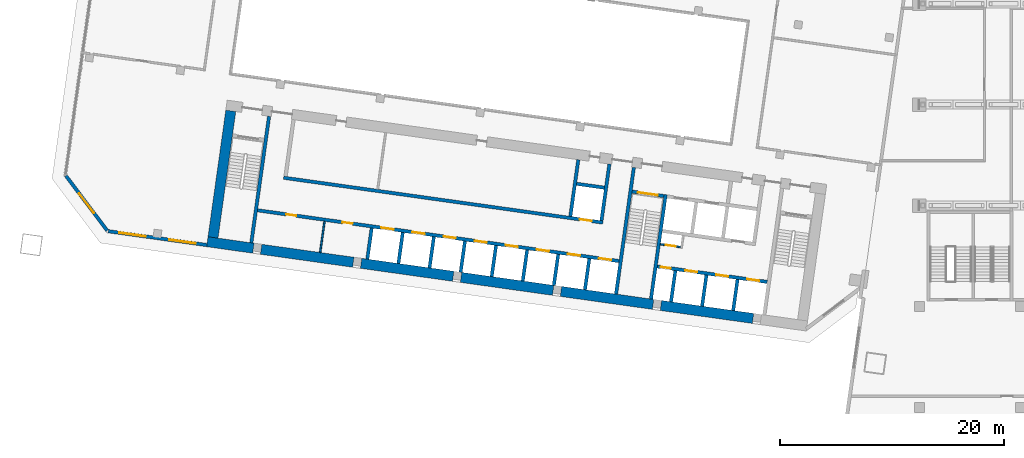
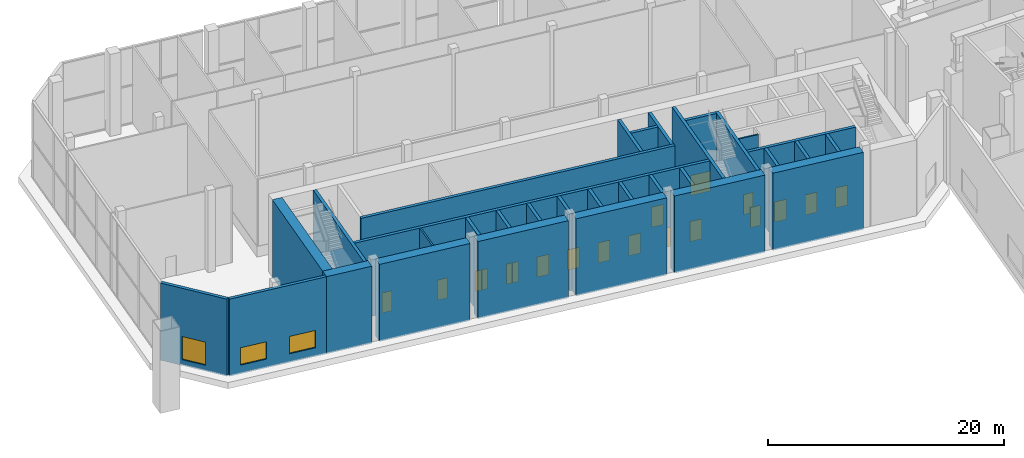
# One storey, part 17 of 31: 32 walls, 17 doors, 3 windows, 20 openings.
"""IFC4 building model written with IfcOpenShell, lengths in metres."""

from ifc_helpers import new_model, si_unit, direction, frame, frame_2d, origin, place, context, subcontext, project, spatial, rectangle, extrude, material, layer, layer_set, type_object, element, fill, save


model = new_model("IFC4")

# Units and contexts
model_context = context("Model", 3, precision=1e-05, world=origin(), true_north=direction((0.0, 1.0)))
body_context = subcontext(model_context, "Body", "Model", "MODEL_VIEW")
ifc_project = project(units=[si_unit("LENGTHUNIT", "METRE"), si_unit("AREAUNIT", "SQUARE_METRE"), si_unit("VOLUMEUNIT", "CUBIC_METRE"), si_unit("PLANEANGLEUNIT", "RADIAN"), si_unit("MASSUNIT", "GRAM", prefix="KILO")], contexts=[model_context])

# Site, building, storey
site_placement = place(None, origin())
site = spatial("IfcSite", under=ifc_project, at=site_placement, CompositionType="ELEMENT")
building_placement = place(site_placement, origin())
building = spatial("IfcBuilding", under=site, at=building_placement, Name="Mirante Cascada Hotel Towers", CompositionType="ELEMENT")
storey_placement = place(building_placement, frame((0.0, 0.0, 9.0)))
storey = spatial("IfcBuildingStorey", under=building, at=storey_placement, Name="L01", CompositionType="ELEMENT", Elevation=9.0)

# Wall, opening, door
ifc_material_1 = material(Name="Masonry block", Category="masonry")
ifc_layer_1 = layer(ifc_material_1, 0.15)
ifc_layer_set_1 = layer_set([ifc_layer_1], Name="Core room partition 150 block EI 30")
wall_type_1 = type_object("IfcWallType", Name="Core room partition 150 block EI 30", PredefinedType="PARTITIONING", material=ifc_layer_set_1)
wall_1_placement = place(storey_placement, frame((-48.2933, -12.7083, 0.0), z_axis=(0.0, 0.0, 1.0), x_axis=(-0.990268, 0.1391734, 0.0)))
wall_1 = element("IfcWall", 1, at=wall_1_placement, inside=storey, type_object=wall_type_1, Name="Core wall partition T1 L01 3", PredefinedType="PARTITIONING", context=body_context, shape_type="SweptSolid", body=[
    extrude(rectangle(XDim=1.8251, YDim=0.15, at=frame_2d((0.9126, 0.0))), origin(), (0.0, 0.0, 1.0), 8.0),
])
opening_1_placement = place(wall_1_placement, frame((0.4625, 0.0, 0.0)))
opening_1 = element("IfcOpeningElement", 2, at=opening_1_placement, cuts=wall_1, Name="Opening D1-01-C26", PredefinedType="OPENING", context=body_context, shape_type="SweptSolid", body=[
    extrude(rectangle(XDim=0.9, YDim=2.1, at=frame_2d((0.45, 1.05))), frame((0.0, 0.075, 0.0), z_axis=(0.0, -1.0, 0.0), x_axis=(1.0, 0.0, 0.0)), (0.0, 0.0, 1.0), 0.15),
])
ifc_material_2 = material(Name="Hollow metal fire door leaf")
door_type_1 = type_object("IfcDoorType", Name="Fire door 900x2100 FD60", OperationType="NOTDEFINED", PredefinedType="DOOR", material=ifc_material_2)
door_1_placement = place(opening_1_placement, origin())
door_1 = element("IfcDoor", 3, at=door_1_placement, inside=storey, type_object=door_type_1, Name="Riser door T1 L01 26", OperationType="SINGLE_SWING_RIGHT", OverallHeight=2.1, OverallWidth=0.9, PredefinedType="DOOR", context=body_context, shape_type="SweptSolid", body=[
    extrude(rectangle(XDim=0.9, YDim=2.1, at=frame_2d((0.45, 1.05))), frame((0.0, 0.025, 0.0), z_axis=(0.0, -1.0, 0.0), x_axis=(1.0, 0.0, 0.0)), (0.0, 0.0, 1.0), 0.05),
])
fill(opening_1, door_1)

# Wall
wall_2_placement = place(storey_placement, frame((-80.448, -13.1879, 0.0), z_axis=(0.0, 0.0, 1.0), x_axis=(0.139176, 0.9902677, 0.0)))
element("IfcWall", 4, at=wall_2_placement, inside=storey, type_object=wall_type_1, Name="Core wall partition T1 L01 4", PredefinedType="PARTITIONING", context=body_context, shape_type="SweptSolid", body=[
    extrude(rectangle(XDim=2.8001, YDim=0.15, at=frame_2d((1.4, 0.0))), origin(), (0.0, 0.0, 1.0), 8.0),
])

# Wall, openings, windows
ifc_material_3 = material(Name="Precast concrete C40/50", Category="concrete")
ifc_layer_2 = layer(ifc_material_3, 0.3)
ifc_layer_set_2 = layer_set([ifc_layer_2], Name="Precast concrete C40/50 cladding wall 300")
wall_type_2 = type_object("IfcWallType", Name="Precast concrete C40/50 cladding wall 300", PredefinedType="STANDARD", material=ifc_layer_set_2)
wall_3_placement = place(storey_placement, frame((-90.5541, -12.5249, 0.0), z_axis=(0.0, 0.0, 1.0), x_axis=(-0.9902676, 0.1391765, 0.0)))
wall_3 = element("IfcWall", 5, at=wall_3_placement, inside=storey, type_object=wall_type_2, Name="Rear cladding wall T1 L01 1", PredefinedType="STANDARD", context=body_context, shape_type="SweptSolid", body=[
    extrude(rectangle(XDim=8.8758, YDim=0.3, at=frame_2d((4.4379, 0.0))), origin(), (0.0, 0.0, 1.0), 8.0),
])
opening_2_placement = place(wall_3_placement, frame((1.0012, 0.0, 0.9)))
opening_2 = element("IfcOpeningElement", 6, at=opening_2_placement, cuts=wall_3, Name="Opening W1-01-01", PredefinedType="OPENING", context=body_context, shape_type="SweptSolid", body=[
    extrude(rectangle(XDim=2.4, YDim=1.8, at=frame_2d((1.2, 0.9))), frame((0.0, 0.15, 0.0), z_axis=(0.0, -1.0, 0.0), x_axis=(1.0, 0.0, 0.0)), (0.0, 0.0, 1.0), 0.3),
])
opening_3_placement = place(wall_3_placement, frame((5.4923, 0.0, 0.9)))
opening_3 = element("IfcOpeningElement", 7, at=opening_3_placement, cuts=wall_3, Name="Opening W1-01-02", PredefinedType="OPENING", context=body_context, shape_type="SweptSolid", body=[
    extrude(rectangle(XDim=2.4, YDim=1.8, at=frame_2d((1.2, 0.9))), frame((0.0, 0.15, 0.0), z_axis=(0.0, -1.0, 0.0), x_axis=(1.0, 0.0, 0.0)), (0.0, 0.0, 1.0), 0.3),
])
ifc_material_4 = material(Name="Aluminium frame with clear double glazing", Category="aluminium")
window_type_1 = type_object("IfcWindowType", Name="Punched window 2400x1800", PartitioningType="DOUBLE_PANEL_VERTICAL", PredefinedType="WINDOW", material=ifc_material_4)
window_1_placement = place(opening_2_placement, origin())
window_1 = element("IfcWindow", 8, at=window_1_placement, inside=storey, type_object=window_type_1, Name="Window W1-01-01", OverallHeight=1.8, OverallWidth=2.4, PartitioningType="SINGLE_PANEL", PredefinedType="WINDOW", context=body_context, shape_type="SweptSolid", body=[
    extrude(rectangle(XDim=2.4, YDim=1.8, at=frame_2d((1.2, 0.9))), frame((0.0, 0.03, 0.0), z_axis=(0.0, -1.0, 0.0), x_axis=(1.0, 0.0, 0.0)), (0.0, 0.0, 1.0), 0.06),
])
fill(opening_2, window_1)
window_2_placement = place(opening_3_placement, origin())
window_2 = element("IfcWindow", 9, at=window_2_placement, inside=storey, type_object=window_type_1, Name="Window W1-01-02", OverallHeight=1.8, OverallWidth=2.4, PartitioningType="SINGLE_PANEL", PredefinedType="WINDOW", context=body_context, shape_type="SweptSolid", body=[
    extrude(rectangle(XDim=2.4, YDim=1.8, at=frame_2d((1.2, 0.9))), frame((0.0, 0.03, 0.0), z_axis=(0.0, -1.0, 0.0), x_axis=(1.0, 0.0, 0.0)), (0.0, 0.0, 1.0), 0.06),
])
fill(opening_3, window_2)

# Wall, opening, window
wall_4_placement = place(storey_placement, frame((-99.4424, -11.2313, 0.0), z_axis=(0.0, 0.0, 1.0), x_axis=(-0.6018194, 0.7986322, 0.0)))
wall_4 = element("IfcWall", 10, at=wall_4_placement, inside=storey, type_object=wall_type_2, Name="Corner cladding wall T1 L01 rear outer", PredefinedType="STANDARD", context=body_context, shape_type="SweptSolid", body=[
    extrude(rectangle(XDim=6.1155, YDim=0.3, at=frame_2d((3.0578, 0.0))), origin(), (0.0, 0.0, 1.0), 8.0),
])
opening_4_placement = place(wall_4_placement, frame((1.9576, 0.0, 0.6)))
opening_4 = element("IfcOpeningElement", 11, at=opening_4_placement, cuts=wall_4, Name="Opening W1-01-03", PredefinedType="OPENING", context=body_context, shape_type="SweptSolid", body=[
    extrude(rectangle(XDim=2.2, YDim=2.4, at=frame_2d((1.1, 1.2))), frame((0.0, 0.15, 0.0), z_axis=(0.0, -1.0, 0.0), x_axis=(1.0, 0.0, 0.0)), (0.0, 0.0, 1.0), 0.3),
])
ifc_material_5 = material(Name="Aluminium frame with clear double glazing", Category="aluminium")
window_type_2 = type_object("IfcWindowType", Name="Corner suite window 2200x2400", PartitioningType="DOUBLE_PANEL_VERTICAL", PredefinedType="WINDOW", material=ifc_material_5)
window_3_placement = place(opening_4_placement, origin())
window_3 = element("IfcWindow", 12, at=window_3_placement, inside=storey, type_object=window_type_2, Name="Window W1-01-03", OverallHeight=2.4, OverallWidth=2.2, PartitioningType="SINGLE_PANEL", PredefinedType="WINDOW", context=body_context, shape_type="SweptSolid", body=[
    extrude(rectangle(XDim=2.2, YDim=2.4, at=frame_2d((1.1, 1.2))), frame((0.0, 0.03, 0.0), z_axis=(0.0, -1.0, 0.0), x_axis=(1.0, 0.0, 0.0)), (0.0, 0.0, 1.0), 0.06),
])
fill(opening_4, window_3)

# Walls
ifc_material_6 = material(Name="Concrete C50/60", Category="concrete")
ifc_layer_3 = layer(ifc_material_6, 0.3)
ifc_layer_set_3 = layer_set([ifc_layer_3], Name="RC core wall 300 C50/60")
wall_type_3 = type_object("IfcWallType", Name="RC core wall 300 C50/60", PredefinedType="SHEAR", material=ifc_layer_set_3)
wall_5_placement = place(storey_placement, frame((-50.938, -17.3352, 0.0), z_axis=(0.0, 0.0, 1.0), x_axis=(0.1391706, 0.9902684, 0.0)))
element("IfcWall", 13, at=wall_5_placement, inside=storey, type_object=wall_type_3, Name="Core wall T1:L01:6", PredefinedType="SHEAR", context=body_context, shape_type="SweptSolid", body=[
    extrude(rectangle(XDim=9.4, YDim=0.3, at=frame_2d((4.7, 0.0))), origin(), (0.0, 0.0, 1.0), 8.0),
])
wall_6_placement = place(storey_placement, frame((-54.0574, -16.8968, 0.0), z_axis=(0.0, 0.0, 1.0), x_axis=(0.1391761, 0.9902677, 0.0)))
element("IfcWall", 14, at=wall_6_placement, inside=storey, type_object=wall_type_3, Name="Core wall T1:L01:7", PredefinedType="SHEAR", context=body_context, shape_type="SweptSolid", body=[
    extrude(rectangle(XDim=11.3999, YDim=0.3, at=frame_2d((5.7, 0.0))), origin(), (0.0, 0.0, 1.0), 8.0),
])
wall_7_placement = place(storey_placement, frame((-86.5877, -12.325, 0.0), z_axis=(0.0, 0.0, 1.0), x_axis=(0.1391749, 0.9902678, 0.0)))
element("IfcWall", 15, at=wall_7_placement, inside=storey, type_object=wall_type_3, Name="Core wall T1:L01:8", PredefinedType="SHEAR", context=body_context, shape_type="SweptSolid", body=[
    extrude(rectangle(XDim=11.4, YDim=0.3, at=frame_2d((5.7, 0.0))), origin(), (0.0, 0.0, 1.0), 8.0),
])

# Wall, opening, door
wall_8_placement = place(storey_placement, frame((-49.7992, -8.1544, 0.0), z_axis=(0.0, 0.0, 1.0), x_axis=(-0.9902656, 0.1391909, 0.0)))
wall_8 = element("IfcWall", 16, at=wall_8_placement, inside=storey, type_object=wall_type_3, Name="Core wall T1:L01:10", PredefinedType="SHEAR", context=body_context, shape_type="SweptSolid", body=[
    extrude(rectangle(XDim=2.85, YDim=0.3, at=frame_2d((1.425, 0.0))), origin(), (0.0, 0.0, 1.0), 8.0),
])
opening_5_placement = place(wall_8_placement, frame((0.525, 0.0, 0.0)))
opening_5 = element("IfcOpeningElement", 17, at=opening_5_placement, cuts=wall_8, Name="Opening D1-01-C18", PredefinedType="OPENING", context=body_context, shape_type="SweptSolid", body=[
    extrude(rectangle(XDim=1.8, YDim=2.1, at=frame_2d((0.9, 1.05))), frame((0.0, 0.15, 0.0), z_axis=(0.0, -1.0, 0.0), x_axis=(1.0, 0.0, 0.0)), (0.0, 0.0, 1.0), 0.3),
])
ifc_material_7 = material(Name="Hollow metal fire door leaf")
door_type_2 = type_object("IfcDoorType", Name="Double fire door 1800x2100 FD60", OperationType="DOUBLE_DOOR_SINGLE_SWING", PredefinedType="DOOR", material=ifc_material_7)
door_2_placement = place(opening_5_placement, origin())
door_2 = element("IfcDoor", 18, at=door_2_placement, inside=storey, type_object=door_type_2, Name="Stair door T1 L01 18", OperationType="DOUBLE_DOOR_SINGLE_SWING", OverallHeight=2.1, OverallWidth=1.8, PredefinedType="DOOR", context=body_context, shape_type="SweptSolid", body=[
    extrude(rectangle(XDim=0.895, YDim=2.1, at=frame_2d((0.4475, 1.05))), frame((0.0, 0.025, 0.0), z_axis=(0.0, -1.0, 0.0), x_axis=(1.0, 0.0, 0.0)), (0.0, 0.0, 1.0), 0.05),
    extrude(rectangle(XDim=0.895, YDim=2.1, at=frame_2d((1.3525, 1.05))), frame((0.0, 0.025, 0.0), z_axis=(0.0, -1.0, 0.0), x_axis=(1.0, 0.0, 0.0)), (0.0, 0.0, 1.0), 0.05),
])
fill(opening_5, door_2)

# Wall, openings, doors
wall_9_placement = place(storey_placement, frame((-40.5753, -15.8126, 0.0), z_axis=(0.0, 0.0, 1.0), x_axis=(-0.9902682, 0.1391725, 0.0)))
wall_9 = element("IfcWall", 19, at=wall_9_placement, inside=storey, type_object=wall_type_3, Name="Core wall T1:L01:12", PredefinedType="SHEAR", context=body_context, shape_type="SweptSolid", body=[
    extrude(rectangle(XDim=9.8999, YDim=0.3, at=frame_2d((4.95, 0.0))), origin(), (0.0, 0.0, 1.0), 8.0),
])
opening_6_placement = place(wall_9_placement, frame((0.7, 0.0, 0.0)))
opening_6 = element("IfcOpeningElement", 20, at=opening_6_placement, cuts=wall_9, Name="Opening LD", PredefinedType="OPENING", context=body_context, shape_type="SweptSolid", body=[
    extrude(rectangle(XDim=1.1, YDim=2.1, at=frame_2d((0.55, 1.05))), frame((0.0, 0.15, 0.0), z_axis=(0.0, -1.0, 0.0), x_axis=(1.0, 0.0, 0.0)), (0.0, 0.0, 1.0), 0.3),
])
opening_7_placement = place(wall_9_placement, frame((3.5, 0.0, 0.0)))
opening_7 = element("IfcOpeningElement", 21, at=opening_7_placement, cuts=wall_9, Name="Opening LD", PredefinedType="OPENING", context=body_context, shape_type="SweptSolid", body=[
    extrude(rectangle(XDim=1.1, YDim=2.1, at=frame_2d((0.55, 1.05))), frame((0.0, 0.15, 0.0), z_axis=(0.0, -1.0, 0.0), x_axis=(1.0, 0.0, 0.0)), (0.0, 0.0, 1.0), 0.3),
])
opening_8_placement = place(wall_9_placement, frame((6.3, 0.0, 0.0)))
opening_8 = element("IfcOpeningElement", 22, at=opening_8_placement, cuts=wall_9, Name="Opening LD", PredefinedType="OPENING", context=body_context, shape_type="SweptSolid", body=[
    extrude(rectangle(XDim=1.1, YDim=2.1, at=frame_2d((0.55, 1.05))), frame((0.0, 0.15, 0.0), z_axis=(0.0, -1.0, 0.0), x_axis=(1.0, 0.0, 0.0)), (0.0, 0.0, 1.0), 0.3),
])
opening_9_placement = place(wall_9_placement, frame((8.7, 0.0, 0.0)))
opening_9 = element("IfcOpeningElement", 23, at=opening_9_placement, cuts=wall_9, Name="Opening D1-01-C25", PredefinedType="OPENING", context=body_context, shape_type="SweptSolid", body=[
    extrude(rectangle(XDim=0.9, YDim=2.1, at=frame_2d((0.45, 1.05))), frame((0.0, 0.15, 0.0), z_axis=(0.0, -1.0, 0.0), x_axis=(1.0, 0.0, 0.0)), (0.0, 0.0, 1.0), 0.3),
])
door_3_placement = place(opening_9_placement, origin())
door_3 = element("IfcDoor", 24, at=door_3_placement, inside=storey, type_object=door_type_1, Name="Riser door T1 L01 25", OperationType="SINGLE_SWING_LEFT", OverallHeight=2.1, OverallWidth=0.9, PredefinedType="DOOR", context=body_context, shape_type="SweptSolid", body=[
    extrude(rectangle(XDim=0.9, YDim=2.1, at=frame_2d((0.45, 1.05))), frame((0.0, 0.025, 0.0), z_axis=(0.0, -1.0, 0.0), x_axis=(1.0, 0.0, 0.0)), (0.0, 0.0, 1.0), 0.05),
])
fill(opening_9, door_3)
ifc_material_8 = material(Name="Stainless steel", Category="steel")
door_type_3 = type_object("IfcDoorType", Name="Lift landing door 1100x2100 EI 120", OperationType="DOUBLE_DOOR_SLIDING", PredefinedType="DOOR", material=ifc_material_8)
door_4_placement = place(opening_6_placement, origin())
door_4 = element("IfcDoor", 25, at=door_4_placement, inside=storey, type_object=door_type_3, Name="Lift landing door HR1-1 L01", OperationType="DOUBLE_DOOR_SLIDING", OverallHeight=2.1, OverallWidth=1.1, PredefinedType="DOOR", context=body_context, shape_type="SweptSolid", body=[
    extrude(rectangle(XDim=0.545, YDim=2.1, at=frame_2d((0.2725, 1.05))), frame((0.0, 0.025, 0.0), z_axis=(0.0, -1.0, 0.0), x_axis=(1.0, 0.0, 0.0)), (0.0, 0.0, 1.0), 0.05),
    extrude(rectangle(XDim=0.545, YDim=2.1, at=frame_2d((0.8275, 1.05))), frame((0.0, 0.025, 0.0), z_axis=(0.0, -1.0, 0.0), x_axis=(1.0, 0.0, 0.0)), (0.0, 0.0, 1.0), 0.05),
])
fill(opening_6, door_4)
door_5_placement = place(opening_7_placement, origin())
door_5 = element("IfcDoor", 26, at=door_5_placement, inside=storey, type_object=door_type_3, Name="Lift landing door HR1-2 L01", OperationType="DOUBLE_DOOR_SLIDING", OverallHeight=2.1, OverallWidth=1.1, PredefinedType="DOOR", context=body_context, shape_type="SweptSolid", body=[
    extrude(rectangle(XDim=0.545, YDim=2.1, at=frame_2d((0.2725, 1.05))), frame((0.0, 0.025, 0.0), z_axis=(0.0, -1.0, 0.0), x_axis=(1.0, 0.0, 0.0)), (0.0, 0.0, 1.0), 0.05),
    extrude(rectangle(XDim=0.545, YDim=2.1, at=frame_2d((0.8275, 1.05))), frame((0.0, 0.025, 0.0), z_axis=(0.0, -1.0, 0.0), x_axis=(1.0, 0.0, 0.0)), (0.0, 0.0, 1.0), 0.05),
])
fill(opening_7, door_5)
door_6_placement = place(opening_8_placement, origin())
door_6 = element("IfcDoor", 27, at=door_6_placement, inside=storey, type_object=door_type_3, Name="Lift landing door HR1-3 L01", OperationType="DOUBLE_DOOR_SLIDING", OverallHeight=2.1, OverallWidth=1.1, PredefinedType="DOOR", context=body_context, shape_type="SweptSolid", body=[
    extrude(rectangle(XDim=0.545, YDim=2.1, at=frame_2d((0.2725, 1.05))), frame((0.0, 0.025, 0.0), z_axis=(0.0, -1.0, 0.0), x_axis=(1.0, 0.0, 0.0)), (0.0, 0.0, 1.0), 0.05),
    extrude(rectangle(XDim=0.545, YDim=2.1, at=frame_2d((0.8275, 1.05))), frame((0.0, 0.025, 0.0), z_axis=(0.0, -1.0, 0.0), x_axis=(1.0, 0.0, 0.0)), (0.0, 0.0, 1.0), 0.05),
])
fill(opening_8, door_6)

# Walls
wall_10_placement = place(storey_placement, frame((-43.61, -18.3651, 0.0), z_axis=(0.0, 0.0, 1.0), x_axis=(0.1391459, 0.9902719, 0.0)))
element("IfcWall", 28, at=wall_10_placement, inside=storey, type_object=wall_type_3, Name="Core wall T1:L01:15", PredefinedType="SHEAR", context=body_context, shape_type="SweptSolid", body=[
    extrude(rectangle(XDim=2.7999, YDim=0.3, at=frame_2d((1.4, 0.0))), origin(), (0.0, 0.0, 1.0), 8.0),
])
wall_11_placement = place(storey_placement, frame((-46.3828, -17.9754, 0.0), z_axis=(0.0, 0.0, 1.0), x_axis=(0.139181, 0.990267, 0.0)))
element("IfcWall", 29, at=wall_11_placement, inside=storey, type_object=wall_type_3, Name="Core wall T1:L01:16", PredefinedType="SHEAR", context=body_context, shape_type="SweptSolid", body=[
    extrude(rectangle(XDim=2.8, YDim=0.3, at=frame_2d((1.4, 0.0))), origin(), (0.0, 0.0, 1.0), 8.0),
])
wall_12_placement = place(storey_placement, frame((-49.1555, -17.5857, 0.0), z_axis=(0.0, 0.0, 1.0), x_axis=(0.1391459, 0.9902719, 0.0)))
element("IfcWall", 30, at=wall_12_placement, inside=storey, type_object=wall_type_3, Name="Core wall T1:L01:17", PredefinedType="SHEAR", context=body_context, shape_type="SweptSolid", body=[
    extrude(rectangle(XDim=2.7999, YDim=0.3, at=frame_2d((1.4, 0.0))), origin(), (0.0, 0.0, 1.0), 8.0),
])

# Wall, openings, doors
wall_13_placement = place(storey_placement, frame((-53.7953, -13.9547, 0.0), z_axis=(0.0, 0.0, 1.0), x_axis=(-0.990268, 0.1391733, 0.0)))
wall_13 = element("IfcWall", 31, at=wall_13_placement, inside=storey, type_object=wall_type_3, Name="Core wall T1:L01:24", PredefinedType="SHEAR", context=body_context, shape_type="SweptSolid", body=[
    extrude(rectangle(XDim=32.5501, YDim=0.3, at=frame_2d((16.275, 0.0))), origin(), (0.0, 0.0, 1.0), 8.0),
])
opening_10_placement = place(wall_13_placement, frame((0.7, 0.0, 0.0)))
opening_10 = element("IfcOpeningElement", 32, at=opening_10_placement, cuts=wall_13, Name="Opening LD", PredefinedType="OPENING", context=body_context, shape_type="SweptSolid", body=[
    extrude(rectangle(XDim=1.1, YDim=2.1, at=frame_2d((0.55, 1.05))), frame((0.0, 0.15, 0.0), z_axis=(0.0, -1.0, 0.0), x_axis=(1.0, 0.0, 0.0)), (0.0, 0.0, 1.0), 0.3),
])
opening_11_placement = place(wall_13_placement, frame((3.5, 0.0, 0.0)))
opening_11 = element("IfcOpeningElement", 33, at=opening_11_placement, cuts=wall_13, Name="Opening LD", PredefinedType="OPENING", context=body_context, shape_type="SweptSolid", body=[
    extrude(rectangle(XDim=1.1, YDim=2.1, at=frame_2d((0.55, 1.05))), frame((0.0, 0.15, 0.0), z_axis=(0.0, -1.0, 0.0), x_axis=(1.0, 0.0, 0.0)), (0.0, 0.0, 1.0), 0.3),
])
opening_12_placement = place(wall_13_placement, frame((6.3, 0.0, 0.0)))
opening_12 = element("IfcOpeningElement", 34, at=opening_12_placement, cuts=wall_13, Name="Opening LD", PredefinedType="OPENING", context=body_context, shape_type="SweptSolid", body=[
    extrude(rectangle(XDim=1.1, YDim=2.1, at=frame_2d((0.55, 1.05))), frame((0.0, 0.15, 0.0), z_axis=(0.0, -1.0, 0.0), x_axis=(1.0, 0.0, 0.0)), (0.0, 0.0, 1.0), 0.3),
])
opening_13_placement = place(wall_13_placement, frame((9.1, 0.0, 0.0)))
opening_13 = element("IfcOpeningElement", 35, at=opening_13_placement, cuts=wall_13, Name="Opening LD", PredefinedType="OPENING", context=body_context, shape_type="SweptSolid", body=[
    extrude(rectangle(XDim=1.1, YDim=2.1, at=frame_2d((0.55, 1.05))), frame((0.0, 0.15, 0.0), z_axis=(0.0, -1.0, 0.0), x_axis=(1.0, 0.0, 0.0)), (0.0, 0.0, 1.0), 0.3),
])
opening_14_placement = place(wall_13_placement, frame((11.9, 0.0, 0.0)))
opening_14 = element("IfcOpeningElement", 36, at=opening_14_placement, cuts=wall_13, Name="Opening LD", PredefinedType="OPENING", context=body_context, shape_type="SweptSolid", body=[
    extrude(rectangle(XDim=1.1, YDim=2.1, at=frame_2d((0.55, 1.05))), frame((0.0, 0.15, 0.0), z_axis=(0.0, -1.0, 0.0), x_axis=(1.0, 0.0, 0.0)), (0.0, 0.0, 1.0), 0.3),
])
opening_15_placement = place(wall_13_placement, frame((14.7, 0.0, 0.0)))
opening_15 = element("IfcOpeningElement", 37, at=opening_15_placement, cuts=wall_13, Name="Opening LD", PredefinedType="OPENING", context=body_context, shape_type="SweptSolid", body=[
    extrude(rectangle(XDim=1.1, YDim=2.1, at=frame_2d((0.55, 1.05))), frame((0.0, 0.15, 0.0), z_axis=(0.0, -1.0, 0.0), x_axis=(1.0, 0.0, 0.0)), (0.0, 0.0, 1.0), 0.3),
])
opening_16_placement = place(wall_13_placement, frame((17.5, 0.0, 0.0)))
opening_16 = element("IfcOpeningElement", 38, at=opening_16_placement, cuts=wall_13, Name="Opening LD", PredefinedType="OPENING", context=body_context, shape_type="SweptSolid", body=[
    extrude(rectangle(XDim=1.1, YDim=2.1, at=frame_2d((0.55, 1.05))), frame((0.0, 0.15, 0.0), z_axis=(0.0, -1.0, 0.0), x_axis=(1.0, 0.0, 0.0)), (0.0, 0.0, 1.0), 0.3),
])
opening_17_placement = place(wall_13_placement, frame((20.3, 0.0, 0.0)))
opening_17 = element("IfcOpeningElement", 39, at=opening_17_placement, cuts=wall_13, Name="Opening LD", PredefinedType="OPENING", context=body_context, shape_type="SweptSolid", body=[
    extrude(rectangle(XDim=1.1, YDim=2.1, at=frame_2d((0.55, 1.05))), frame((0.0, 0.15, 0.0), z_axis=(0.0, -1.0, 0.0), x_axis=(1.0, 0.0, 0.0)), (0.0, 0.0, 1.0), 0.3),
])
opening_18_placement = place(wall_13_placement, frame((24.0, 0.0, 0.0)))
opening_18 = element("IfcOpeningElement", 40, at=opening_18_placement, cuts=wall_13, Name="Opening D1-01-C28", PredefinedType="OPENING", context=body_context, shape_type="SweptSolid", body=[
    extrude(rectangle(XDim=0.9, YDim=2.1, at=frame_2d((0.45, 1.05))), frame((0.0, 0.15, 0.0), z_axis=(0.0, -1.0, 0.0), x_axis=(1.0, 0.0, 0.0)), (0.0, 0.0, 1.0), 0.3),
])
opening_19_placement = place(wall_13_placement, frame((29.075, 0.0, 0.0)))
opening_19 = element("IfcOpeningElement", 41, at=opening_19_placement, cuts=wall_13, Name="Opening D1-01-C29", PredefinedType="OPENING", context=body_context, shape_type="SweptSolid", body=[
    extrude(rectangle(XDim=0.9, YDim=2.1, at=frame_2d((0.45, 1.05))), frame((0.0, 0.15, 0.0), z_axis=(0.0, -1.0, 0.0), x_axis=(1.0, 0.0, 0.0)), (0.0, 0.0, 1.0), 0.3),
])
door_7_placement = place(opening_18_placement, origin())
door_7 = element("IfcDoor", 42, at=door_7_placement, inside=storey, type_object=door_type_1, Name="Room door T1 L01 28", OperationType="SINGLE_SWING_LEFT", OverallHeight=2.1, OverallWidth=0.9, PredefinedType="DOOR", context=body_context, shape_type="SweptSolid", body=[
    extrude(rectangle(XDim=0.9, YDim=2.1, at=frame_2d((0.45, 1.05))), frame((0.0, 0.025, 0.0), z_axis=(0.0, -1.0, 0.0), x_axis=(1.0, 0.0, 0.0)), (0.0, 0.0, 1.0), 0.05),
])
fill(opening_18, door_7)
door_8_placement = place(opening_19_placement, origin())
door_8 = element("IfcDoor", 43, at=door_8_placement, inside=storey, type_object=door_type_1, Name="Room door T1 L01 29", OperationType="SINGLE_SWING_LEFT", OverallHeight=2.1, OverallWidth=0.9, PredefinedType="DOOR", context=body_context, shape_type="SweptSolid", body=[
    extrude(rectangle(XDim=0.9, YDim=2.1, at=frame_2d((0.45, 1.05))), frame((0.0, 0.025, 0.0), z_axis=(0.0, -1.0, 0.0), x_axis=(1.0, 0.0, 0.0)), (0.0, 0.0, 1.0), 0.05),
])
fill(opening_19, door_8)
door_9_placement = place(opening_10_placement, origin())
door_9 = element("IfcDoor", 44, at=door_9_placement, inside=storey, type_object=door_type_3, Name="Lift landing door LR1-1 L01", OperationType="DOUBLE_DOOR_SLIDING", OverallHeight=2.1, OverallWidth=1.1, PredefinedType="DOOR", context=body_context, shape_type="SweptSolid", body=[
    extrude(rectangle(XDim=0.545, YDim=2.1, at=frame_2d((0.2725, 1.05))), frame((0.0, 0.025, 0.0), z_axis=(0.0, -1.0, 0.0), x_axis=(1.0, 0.0, 0.0)), (0.0, 0.0, 1.0), 0.05),
    extrude(rectangle(XDim=0.545, YDim=2.1, at=frame_2d((0.8275, 1.05))), frame((0.0, 0.025, 0.0), z_axis=(0.0, -1.0, 0.0), x_axis=(1.0, 0.0, 0.0)), (0.0, 0.0, 1.0), 0.05),
])
fill(opening_10, door_9)
door_10_placement = place(opening_11_placement, origin())
door_10 = element("IfcDoor", 45, at=door_10_placement, inside=storey, type_object=door_type_3, Name="Lift landing door LR1-2 L01", OperationType="DOUBLE_DOOR_SLIDING", OverallHeight=2.1, OverallWidth=1.1, PredefinedType="DOOR", context=body_context, shape_type="SweptSolid", body=[
    extrude(rectangle(XDim=0.545, YDim=2.1, at=frame_2d((0.2725, 1.05))), frame((0.0, 0.025, 0.0), z_axis=(0.0, -1.0, 0.0), x_axis=(1.0, 0.0, 0.0)), (0.0, 0.0, 1.0), 0.05),
    extrude(rectangle(XDim=0.545, YDim=2.1, at=frame_2d((0.8275, 1.05))), frame((0.0, 0.025, 0.0), z_axis=(0.0, -1.0, 0.0), x_axis=(1.0, 0.0, 0.0)), (0.0, 0.0, 1.0), 0.05),
])
fill(opening_11, door_10)
door_11_placement = place(opening_12_placement, origin())
door_11 = element("IfcDoor", 46, at=door_11_placement, inside=storey, type_object=door_type_3, Name="Lift landing door SV1-1 L01", OperationType="DOUBLE_DOOR_SLIDING", OverallHeight=2.1, OverallWidth=1.1, PredefinedType="DOOR", context=body_context, shape_type="SweptSolid", body=[
    extrude(rectangle(XDim=0.545, YDim=2.1, at=frame_2d((0.2725, 1.05))), frame((0.0, 0.025, 0.0), z_axis=(0.0, -1.0, 0.0), x_axis=(1.0, 0.0, 0.0)), (0.0, 0.0, 1.0), 0.05),
    extrude(rectangle(XDim=0.545, YDim=2.1, at=frame_2d((0.8275, 1.05))), frame((0.0, 0.025, 0.0), z_axis=(0.0, -1.0, 0.0), x_axis=(1.0, 0.0, 0.0)), (0.0, 0.0, 1.0), 0.05),
])
fill(opening_12, door_11)
door_12_placement = place(opening_13_placement, origin())
door_12 = element("IfcDoor", 47, at=door_12_placement, inside=storey, type_object=door_type_3, Name="Lift landing door SV1-2 L01", OperationType="DOUBLE_DOOR_SLIDING", OverallHeight=2.1, OverallWidth=1.1, PredefinedType="DOOR", context=body_context, shape_type="SweptSolid", body=[
    extrude(rectangle(XDim=0.545, YDim=2.1, at=frame_2d((0.2725, 1.05))), frame((0.0, 0.025, 0.0), z_axis=(0.0, -1.0, 0.0), x_axis=(1.0, 0.0, 0.0)), (0.0, 0.0, 1.0), 0.05),
    extrude(rectangle(XDim=0.545, YDim=2.1, at=frame_2d((0.8275, 1.05))), frame((0.0, 0.025, 0.0), z_axis=(0.0, -1.0, 0.0), x_axis=(1.0, 0.0, 0.0)), (0.0, 0.0, 1.0), 0.05),
])
fill(opening_13, door_12)
door_13_placement = place(opening_14_placement, origin())
door_13 = element("IfcDoor", 48, at=door_13_placement, inside=storey, type_object=door_type_3, Name="Lift landing door SV1-3 L01", OperationType="DOUBLE_DOOR_SLIDING", OverallHeight=2.1, OverallWidth=1.1, PredefinedType="DOOR", context=body_context, shape_type="SweptSolid", body=[
    extrude(rectangle(XDim=0.545, YDim=2.1, at=frame_2d((0.2725, 1.05))), frame((0.0, 0.025, 0.0), z_axis=(0.0, -1.0, 0.0), x_axis=(1.0, 0.0, 0.0)), (0.0, 0.0, 1.0), 0.05),
    extrude(rectangle(XDim=0.545, YDim=2.1, at=frame_2d((0.8275, 1.05))), frame((0.0, 0.025, 0.0), z_axis=(0.0, -1.0, 0.0), x_axis=(1.0, 0.0, 0.0)), (0.0, 0.0, 1.0), 0.05),
])
fill(opening_14, door_13)
door_14_placement = place(opening_15_placement, origin())
door_14 = element("IfcDoor", 49, at=door_14_placement, inside=storey, type_object=door_type_3, Name="Lift landing door SV1-4 L01", OperationType="DOUBLE_DOOR_SLIDING", OverallHeight=2.1, OverallWidth=1.1, PredefinedType="DOOR", context=body_context, shape_type="SweptSolid", body=[
    extrude(rectangle(XDim=0.545, YDim=2.1, at=frame_2d((0.2725, 1.05))), frame((0.0, 0.025, 0.0), z_axis=(0.0, -1.0, 0.0), x_axis=(1.0, 0.0, 0.0)), (0.0, 0.0, 1.0), 0.05),
    extrude(rectangle(XDim=0.545, YDim=2.1, at=frame_2d((0.8275, 1.05))), frame((0.0, 0.025, 0.0), z_axis=(0.0, -1.0, 0.0), x_axis=(1.0, 0.0, 0.0)), (0.0, 0.0, 1.0), 0.05),
])
fill(opening_15, door_14)
door_15_placement = place(opening_16_placement, origin())
door_15 = element("IfcDoor", 50, at=door_15_placement, inside=storey, type_object=door_type_3, Name="Lift landing door PS1-1 L01", OperationType="DOUBLE_DOOR_SLIDING", OverallHeight=2.1, OverallWidth=1.1, PredefinedType="DOOR", context=body_context, shape_type="SweptSolid", body=[
    extrude(rectangle(XDim=0.545, YDim=2.1, at=frame_2d((0.2725, 1.05))), frame((0.0, 0.025, 0.0), z_axis=(0.0, -1.0, 0.0), x_axis=(1.0, 0.0, 0.0)), (0.0, 0.0, 1.0), 0.05),
    extrude(rectangle(XDim=0.545, YDim=2.1, at=frame_2d((0.8275, 1.05))), frame((0.0, 0.025, 0.0), z_axis=(0.0, -1.0, 0.0), x_axis=(1.0, 0.0, 0.0)), (0.0, 0.0, 1.0), 0.05),
])
fill(opening_16, door_15)
door_16_placement = place(opening_17_placement, origin())
door_16 = element("IfcDoor", 51, at=door_16_placement, inside=storey, type_object=door_type_3, Name="Lift landing door PS1-2 L01", OperationType="DOUBLE_DOOR_SLIDING", OverallHeight=2.1, OverallWidth=1.1, PredefinedType="DOOR", context=body_context, shape_type="SweptSolid", body=[
    extrude(rectangle(XDim=0.545, YDim=2.1, at=frame_2d((0.2725, 1.05))), frame((0.0, 0.025, 0.0), z_axis=(0.0, -1.0, 0.0), x_axis=(1.0, 0.0, 0.0)), (0.0, 0.0, 1.0), 0.05),
    extrude(rectangle(XDim=0.545, YDim=2.1, at=frame_2d((0.8275, 1.05))), frame((0.0, 0.025, 0.0), z_axis=(0.0, -1.0, 0.0), x_axis=(1.0, 0.0, 0.0)), (0.0, 0.0, 1.0), 0.05),
])
fill(opening_17, door_16)

# Walls
for number, where, z_axis, x_axis, name in (
    (52, (-56.8301, -16.5072, 0.0), (0.0, 0.0, 1.0), (0.139176, 0.9902677, 0.0), "Core wall T1:L01:25"),
    (53, (-59.6029, -16.1175, 0.0), (0.0, 0.0, 1.0), (0.139176, 0.9902677, 0.0), "Core wall T1:L01:26"),
    (54, (-62.3756, -15.7278, 0.0), (0.0, 0.0, 1.0), (0.139176, 0.9902677, 0.0), "Core wall T1:L01:27"),
    (55, (-65.1484, -15.3381, 0.0), (0.0, 0.0, 1.0), (0.139176, 0.9902677, 0.0), "Core wall T1:L01:28"),
):
    element("IfcWall", number, at=place(storey_placement, frame(where, z_axis=z_axis, x_axis=x_axis)), inside=storey, type_object=wall_type_3, Name=name, PredefinedType="SHEAR", context=body_context, shape_type="SweptSolid", body=[
        extrude(rectangle(XDim=2.8001, YDim=0.3, at=frame_2d((1.4, 0.0))), origin(), (0.0, 0.0, 1.0), 8.0),
    ])
for number, where, z_axis, x_axis, name in (
    (56, (-67.9211, -14.9484, 0.0), (0.0, 0.0, 1.0), (0.139181, 0.990267, 0.0), "Core wall T1:L01:29"),
    (57, (-70.6939, -14.5587, 0.0), (0.0, 0.0, 1.0), (0.139181, 0.990267, 0.0), "Core wall T1:L01:30"),
    (58, (-73.4666, -14.169, 0.0), (0.0, 0.0, 1.0), (0.139181, 0.990267, 0.0), "Core wall T1:L01:31"),
):
    element("IfcWall", number, at=place(storey_placement, frame(where, z_axis=z_axis, x_axis=x_axis)), inside=storey, type_object=wall_type_3, Name=name, PredefinedType="SHEAR", context=body_context, shape_type="SweptSolid", body=[
        extrude(rectangle(XDim=2.8, YDim=0.3, at=frame_2d((1.4, 0.0))), origin(), (0.0, 0.0, 1.0), 8.0),
    ])
wall_14_placement = place(storey_placement, frame((-76.2394, -13.7794, 0.0), z_axis=(0.0, 0.0, 1.0), x_axis=(0.139176, 0.9902677, 0.0)))
element("IfcWall", 59, at=wall_14_placement, inside=storey, type_object=wall_type_3, Name="Core wall T1:L01:32", PredefinedType="SHEAR", context=body_context, shape_type="SweptSolid", body=[
    extrude(rectangle(XDim=2.8001, YDim=0.3, at=frame_2d((1.4, 0.0))), origin(), (0.0, 0.0, 1.0), 8.0),
])

# Wall, opening, door
wall_15_placement = place(storey_placement, frame((-55.2315, -10.5214, 0.0), z_axis=(0.0, 0.0, 1.0), x_axis=(-0.9902682, 0.1391722, 0.0)))
wall_15 = element("IfcWall", 60, at=wall_15_placement, inside=storey, type_object=wall_type_3, Name="Core wall T1:L01:34", PredefinedType="SHEAR", context=body_context, shape_type="SweptSolid", body=[
    extrude(rectangle(XDim=28.75, YDim=0.3, at=frame_2d((14.375, 0.0))), origin(), (0.0, 0.0, 1.0), 8.0),
])
opening_20_placement = place(wall_15_placement, frame((1.0, 0.0, 0.0)))
opening_20 = element("IfcOpeningElement", 61, at=opening_20_placement, cuts=wall_15, Name="Opening LD", PredefinedType="OPENING", context=body_context, shape_type="SweptSolid", body=[
    extrude(rectangle(XDim=1.1, YDim=2.1, at=frame_2d((0.55, 1.05))), frame((0.0, 0.15, 0.0), z_axis=(0.0, -1.0, 0.0), x_axis=(1.0, 0.0, 0.0)), (0.0, 0.0, 1.0), 0.3),
])
door_17_placement = place(opening_20_placement, origin())
door_17 = element("IfcDoor", 62, at=door_17_placement, inside=storey, type_object=door_type_3, Name="Lift landing door LR1-3 L01", OperationType="DOUBLE_DOOR_SLIDING", OverallHeight=2.1, OverallWidth=1.1, PredefinedType="DOOR", context=body_context, shape_type="SweptSolid", body=[
    extrude(rectangle(XDim=0.545, YDim=2.1, at=frame_2d((0.2725, 1.05))), frame((0.0, 0.025, 0.0), z_axis=(0.0, -1.0, 0.0), x_axis=(1.0, 0.0, 0.0)), (0.0, 0.0, 1.0), 0.05),
    extrude(rectangle(XDim=0.545, YDim=2.1, at=frame_2d((0.8275, 1.05))), frame((0.0, 0.025, 0.0), z_axis=(0.0, -1.0, 0.0), x_axis=(1.0, 0.0, 0.0)), (0.0, 0.0, 1.0), 0.05),
])
fill(opening_20, door_17)

# Walls
for number, where, z_axis, x_axis, name in (
    (63, (-55.3592, -10.352, 0.0), (0.0, 0.0, 1.0), (0.1391755, 0.9902677, 0.0), "Core wall T1:L01:35"),
    (64, (-58.1319, -9.9623, 0.0), (0.0, 0.0, 1.0), (0.1391755, 0.9902677, 0.0), "Core wall T1:L01:37"),
):
    element("IfcWall", number, at=place(storey_placement, frame(where, z_axis=z_axis, x_axis=x_axis)), inside=storey, type_object=wall_type_3, Name=name, PredefinedType="SHEAR", context=body_context, shape_type="SweptSolid", body=[
        extrude(rectangle(XDim=5.1, YDim=0.3, at=frame_2d((2.55, 0.0))), origin(), (0.0, 0.0, 1.0), 8.0),
    ])
wall_16_placement = place(storey_placement, frame((-55.0971, -7.4098, 0.0), z_axis=(0.0, 0.0, 1.0), x_axis=(-0.9902701, 0.1391586, 0.0)))
element("IfcWall", 65, at=wall_16_placement, inside=storey, type_object=wall_type_3, Name="Core wall T1:L01:38", PredefinedType="SHEAR", context=body_context, shape_type="SweptSolid", body=[
    extrude(rectangle(XDim=2.5, YDim=0.3, at=frame_2d((1.25, 0.0))), origin(), (0.0, 0.0, 1.0), 8.0),
])
ifc_material_9 = material(Name="Concrete C50/60", Category="concrete")
ifc_layer_4 = layer(ifc_material_9, 0.9)
ifc_layer_set_4 = layer_set([ifc_layer_4], Name="RC core wall 900 C50/60")
wall_type_4 = type_object("IfcWallType", Name="RC core wall 900 C50/60", PredefinedType="SHEAR", material=ifc_layer_set_4)
for number, where, z_axis, x_axis, name in (
    (66, (-41.8407, -19.0682, 0.0), (0.0, 0.0, 1.0), (-0.9902686, 0.1391692, 0.0), "Core wall T1:L01:1.2"),
    (67, (-50.7531, -17.8156, 0.0), (0.0, 0.0, 1.0), (-0.9902686, 0.1391692, 0.0), "Core wall T1:L01:1.3"),
    (68, (-59.6655, -16.5631, 0.0), (0.0, 0.0, 1.0), (-0.9902686, 0.1391692, 0.0), "Core wall T1:L01:1.4"),
    (69, (-68.5779, -15.3105, 0.0), (0.0, 0.0, 1.0), (-0.9902686, 0.1391692, 0.0), "Core wall T1:L01:1.5"),
    (70, (-77.4903, -14.058, 0.0), (0.0, 0.0, 1.0), (-0.990267, 0.139181, 0.0), "Core wall T1:L01:1.6"),
):
    element("IfcWall", number, at=place(storey_placement, frame(where, z_axis=z_axis, x_axis=x_axis)), inside=storey, type_object=wall_type_4, Name=name, PredefinedType="SHEAR", context=body_context, shape_type="SweptSolid", body=[
        extrude(rectangle(XDim=8.3, YDim=0.9, at=frame_2d((4.15, 0.0))), origin(), (0.0, 0.0, 1.0), 8.0),
    ])
wall_17_placement = place(storey_placement, frame((-86.4027, -12.8054, 0.0), z_axis=(0.0, 0.0, 1.0), x_axis=(-0.990267, 0.139181, 0.0)))
element("IfcWall", 71, at=wall_17_placement, inside=storey, type_object=wall_type_4, Name="Core wall T1:L01:1.7", PredefinedType="SHEAR", context=body_context, shape_type="SweptSolid", body=[
    extrude(rectangle(XDim=4.15, YDim=0.9, at=frame_2d((2.075, 0.0))), origin(), (0.0, 0.0, 1.0), 8.0),
])
wall_18_placement = place(storey_placement, frame((-90.0041, -11.8449, 0.0), z_axis=(0.0, 0.0, 1.0), x_axis=(0.1391749, 0.9902678, 0.0)))
element("IfcWall", 72, at=wall_18_placement, inside=storey, type_object=wall_type_4, Name="Core wall T1:L01:4", PredefinedType="SHEAR", context=body_context, shape_type="SweptSolid", body=[
    extrude(rectangle(XDim=11.4, YDim=0.9, at=frame_2d((5.7, 0.0))), origin(), (0.0, 0.0, 1.0), 8.0),
])

save(model, "model.ifc")
